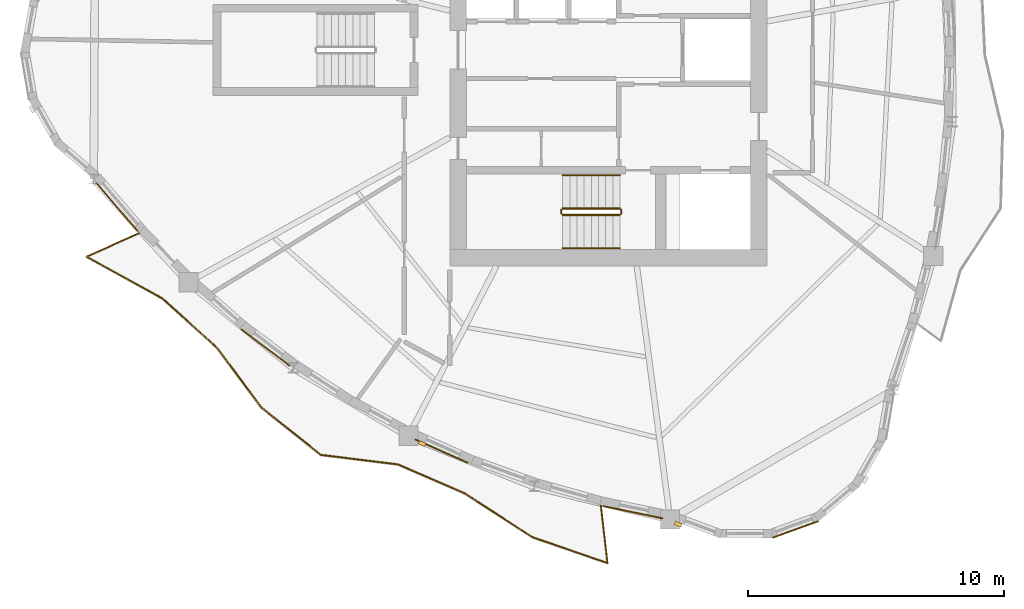
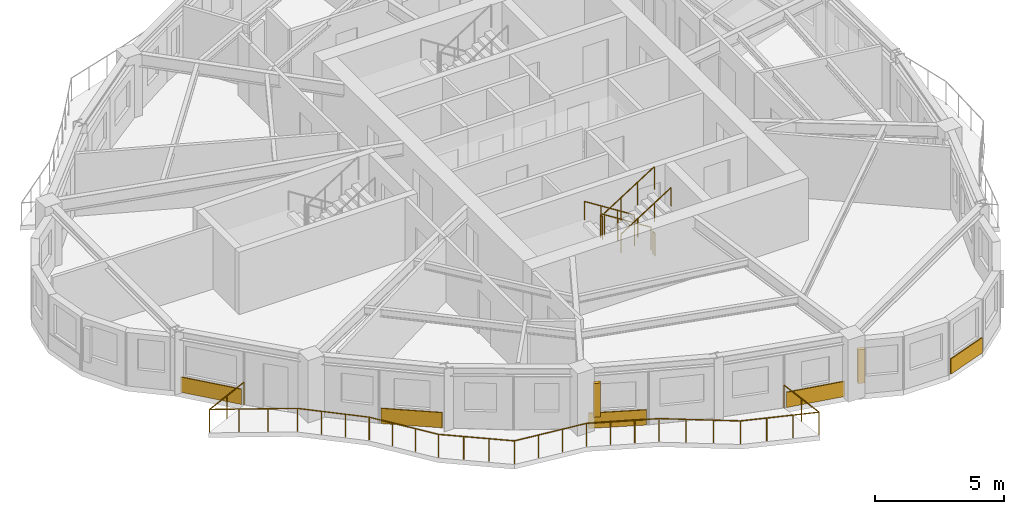
# One storey, part 9 of 12: 7 railings, 5 coverings, 2 shading devices.
"""IFC4 building model written with IfcOpenShell, lengths in metres."""

from ifc_helpers import new_model, si_unit, direction, frame, origin, origin_2d, place, context, subcontext, project, spatial, rectangle, circle, extrude, source, transform, mapped, material, layer, layer_set, type_object, element, save


model = new_model("IFC4")

# Units and contexts
model_context = context("Model", 3, precision=1e-05, world=origin(), true_north=direction((0.0, 1.0)))
body_context = subcontext(model_context, "Body", "Model", "MODEL_VIEW")
ifc_project = project(units=[si_unit("LENGTHUNIT", "METRE"), si_unit("AREAUNIT", "SQUARE_METRE"), si_unit("VOLUMEUNIT", "CUBIC_METRE"), si_unit("PLANEANGLEUNIT", "RADIAN"), si_unit("MASSUNIT", "GRAM", prefix="KILO")], contexts=[model_context])

# Site, building, storey
site_placement = place(None, origin())
site = spatial("IfcSite", under=ifc_project, at=site_placement, CompositionType="ELEMENT")
building_placement = place(site_placement, origin())
building = spatial("IfcBuilding", under=site, at=building_placement, Name="Qafzar Sky-Pleat Residences", CompositionType="ELEMENT")
storey_placement = place(building_placement, frame((0.0, 0.0, 174.60009765625)))
storey = spatial("IfcBuildingStorey", under=building, at=storey_placement, Name="L52", CompositionType="ELEMENT", Elevation=174.60009765625)

# Shading devices
ifc_material_1 = material(Name="Honed Riyadh limestone solar fin", Category="masonry")
ifc_layer_1 = layer(ifc_material_1, 0.139892578125)
ifc_layer_set_1 = layer_set([ifc_layer_1], Name="Honed Riyadh limestone solar fin")
shading_device_type = type_object("IfcShadingDeviceType", Name="SHD-FIN-STONE", PredefinedType="SHUTTER", material=ifc_layer_set_1)
shared_shape_1 = source(origin(), body_context, "Body", "SweptSolid", [
    extrude(rectangle(XDim=0.139892578125, YDim=0.280029296875, at=origin_2d()), origin(), (0.0, 0.0, 1.0), 1.60009765625),
])
for number, where, z_axis, x_axis, name in (
    (1, (23.06689453125, 10.6083984375, 0.599853515625), (0.0, 0.0, 1.0), (-0.407572231376, -0.913172971683, 0.0), "L52 Limestone Solar Fin 13"),
    (2, (33.074462890625, 7.46435546875, 0.599853515625), (0.0, 0.0, 1.0), (-0.349602764616, -0.936898023785, 0.0), "L52 Limestone Solar Fin 17"),
):
    element("IfcShadingDevice", number, at=place(storey_placement, frame(where, z_axis=z_axis, x_axis=x_axis)), inside=storey, type_object=shading_device_type, Name=name, PredefinedType="SHUTTER", context=body_context, shape_type="MappedRepresentation", body=[
        mapped(shared_shape_1, transform((0.0, 0.0, 0.0), x_axis=(1.0, 0.0, 0.0), y_axis=(0.0, 1.0, 0.0), z_axis=(0.0, 0.0, 1.0), scale=1.0)),
    ])

# Covering
ifc_material_2 = material(Name="Honed Riyadh Tuwaiq limestone cladding", Category="masonry")
ifc_layer_2 = layer(ifc_material_2, 0.044921875)
ifc_layer_set_2 = layer_set([ifc_layer_2], Name="Honed Riyadh Tuwaiq limestone cladding")
covering_type = type_object("IfcCoveringType", Name="COV-CLAD-STONE", PredefinedType="CLADDING", material=ifc_layer_set_2)
shared_shape_2 = source(origin(), body_context, "Body", "SweptSolid", [
    extrude(rectangle(XDim=1.89794921875, YDim=0.044921875, at=origin_2d()), origin(), (0.0, 0.0, 1.0), 0.719970703125),
])
covering_1_placement = place(storey_placement, frame((37.662353515625, 7.255126953125, 0.02001953125), z_axis=(0.0, 0.0, 1.0), x_axis=(0.940237058311, 0.340520592886, 0.0)))
element("IfcCovering", 3, at=covering_1_placement, inside=storey, type_object=covering_type, Name="L52 Riyadh Limestone Spandrel Cladding 19", PredefinedType="CLADDING", context=body_context, shape_type="MappedRepresentation", body=[
    mapped(shared_shape_2, transform((0.0, 0.0, 0.0), x_axis=(1.0, 0.0, 0.0), y_axis=(0.0, 1.0, 0.0), z_axis=(0.0, 0.0, 1.0), scale=1.0)),
])

# Railing
ifc_material_3 = material(Name="Laminated glass and bronze steel balustrade", Category="steel")
railing_type_1 = type_object("IfcRailingType", Name="RAIL-BAL-1100", PredefinedType="BALUSTRADE", material=ifc_material_3)
shared_shape_3 = source(origin(), body_context, "Body", "SweptSolid", [
    extrude(circle(Radius=0.02392578125, at=origin_2d()), frame((0.0, 0.0, 1.076171875), z_axis=(-0.912628302889, -0.408790387321, 0.0), x_axis=(0.408790387321, -0.912628302889, 0.0)), (0.0, 0.0, 1.0), 2.270751953125),
    extrude(circle(Radius=0.02392578125, at=origin_2d()), frame((-2.072265625, -0.92822265625, 1.076171875), z_axis=(0.876088688063, -0.482149987709, 0.0), x_axis=(0.482149987709, 0.876088688063, 0.0)), (0.0, 0.0, 1.0), 3.404296875),
    extrude(circle(Radius=0.02392578125, at=origin_2d()), frame((0.91015625, -2.569580078125, 1.076171875), z_axis=(0.742479428392, -0.669868866581, 0.0), x_axis=(0.669868866581, 0.742479428392, 0.0)), (0.0, 0.0, 1.0), 2.847900390625),
    extrude(circle(Radius=0.02392578125, at=origin_2d()), frame((3.024658203125, -4.477294921875, 1.076171875), z_axis=(0.596314764926, -0.802750709206, 0.0), x_axis=(0.802750709206, 0.596314764926, 0.0)), (0.0, 0.0, 1.0), 2.919921875),
    extrude(circle(Radius=0.02392578125, at=origin_2d()), frame((4.765869140625, -6.8212890625, 1.076171875), z_axis=(0.782537513301, -0.622603437411, 0.0), x_axis=(0.622603437411, 0.782537513301, 0.0)), (0.0, 0.0, 1.0), 2.978271484375),
    extrude(circle(Radius=0.02392578125, at=origin_2d()), frame((7.096435546875, -8.675537109375, 1.076171875), z_axis=(0.992462216808, -0.12255100248, 0.0), x_axis=(0.12255100248, 0.992462216808, 0.0)), (0.0, 0.0, 1.0), 3.0380859375),
    extrude(circle(Radius=0.02392578125, at=origin_2d()), frame((10.111572265625, -9.0478515625, 1.076171875), z_axis=(0.917327123061, -0.398134335742, 0.0), x_axis=(0.398134335742, 0.917327123061, 0.0)), (0.0, 0.0, 1.0), 2.8212890625),
    extrude(circle(Radius=0.02392578125, at=origin_2d()), frame((12.69970703125, -10.171142578125, 1.076171875), z_axis=(0.839716807714, -0.54302456928, 0.0), x_axis=(0.54302456928, 0.839716807714, 0.0)), (0.0, 0.0, 1.0), 3.170654296875),
    extrude(circle(Radius=0.02392578125, at=origin_2d()), frame((15.362060546875, -11.892822265625, 1.076171875), z_axis=(0.945528451343, -0.325539471802, 0.0), x_axis=(0.325539471802, 0.945528451343, 0.0)), (0.0, 0.0, 1.0), 3.101806640625),
    extrude(circle(Radius=0.02392578125, at=origin_2d()), frame((18.294921875, -12.902587890625, 1.076171875), z_axis=(-0.114701632597, 0.993399987658, 0.0), x_axis=(-0.993399987658, -0.114701632597, 0.0)), (0.0, 0.0, 1.0), 2.27099609375),
    extrude(circle(Radius=0.02099609375, at=origin_2d()), origin(), (0.0, 0.0, 1.0), 1.052001953125),
    extrude(circle(Radius=0.02099609375, at=origin_2d()), frame((-1.0361328125, -0.464111328125, 0.0)), (0.0, 0.0, 1.0), 1.052001953125),
    extrude(circle(Radius=0.02099609375, at=origin_2d()), frame((-2.072265625, -0.92822265625, 0.0)), (0.0, 0.0, 1.0), 1.052001953125),
    extrude(circle(Radius=0.02099609375, at=origin_2d()), frame((-1.078125, -1.475341796875, 0.0)), (0.0, 0.0, 1.0), 1.052001953125),
    extrude(circle(Radius=0.02099609375, at=origin_2d()), frame((-0.083984375, -2.0224609375, 0.0)), (0.0, 0.0, 1.0), 1.052001953125),
    extrude(circle(Radius=0.02099609375, at=origin_2d()), frame((0.91015625, -2.569580078125, 0.0)), (0.0, 0.0, 1.0), 1.052001953125),
    extrude(circle(Radius=0.02099609375, at=origin_2d()), frame((1.614990234375, -3.20556640625, 0.0)), (0.0, 0.0, 1.0), 1.052001953125),
    extrude(circle(Radius=0.02099609375, at=origin_2d()), frame((2.31982421875, -3.84130859375, 0.0)), (0.0, 0.0, 1.0), 1.052001953125),
    extrude(circle(Radius=0.02099609375, at=origin_2d()), frame((3.024658203125, -4.477294921875, 0.0)), (0.0, 0.0, 1.0), 1.052001953125),
    extrude(circle(Radius=0.02099609375, at=origin_2d()), frame((3.60498046875, -5.258544921875, 0.0)), (0.0, 0.0, 1.0), 1.052001953125),
    extrude(circle(Radius=0.02099609375, at=origin_2d()), frame((4.185546875, -6.0400390625, 0.0)), (0.0, 0.0, 1.0), 1.052001953125),
    extrude(circle(Radius=0.02099609375, at=origin_2d()), frame((4.765869140625, -6.8212890625, 0.0)), (0.0, 0.0, 1.0), 1.052001953125),
    extrude(circle(Radius=0.02099609375, at=origin_2d()), frame((5.542724609375, -7.439453125, 0.0)), (0.0, 0.0, 1.0), 1.052001953125),
    extrude(circle(Radius=0.02099609375, at=origin_2d()), frame((6.319580078125, -8.057373046875, 0.0)), (0.0, 0.0, 1.0), 1.052001953125),
    extrude(circle(Radius=0.02099609375, at=origin_2d()), frame((7.096435546875, -8.675537109375, 0.0)), (0.0, 0.0, 1.0), 1.052001953125),
    extrude(circle(Radius=0.02099609375, at=origin_2d()), frame((8.1015625, -8.799560546875, 0.0)), (0.0, 0.0, 1.0), 1.052001953125),
    extrude(circle(Radius=0.02099609375, at=origin_2d()), frame((9.1064453125, -8.923828125, 0.0)), (0.0, 0.0, 1.0), 1.052001953125),
    extrude(circle(Radius=0.02099609375, at=origin_2d()), frame((10.111572265625, -9.0478515625, 0.0)), (0.0, 0.0, 1.0), 1.052001953125),
    extrude(circle(Radius=0.02099609375, at=origin_2d()), frame((10.974365234375, -9.42236328125, 0.0)), (0.0, 0.0, 1.0), 1.052001953125),
    extrude(circle(Radius=0.02099609375, at=origin_2d()), frame((11.8369140625, -9.796630859375, 0.0)), (0.0, 0.0, 1.0), 1.052001953125),
    extrude(circle(Radius=0.02099609375, at=origin_2d()), frame((12.69970703125, -10.171142578125, 0.0)), (0.0, 0.0, 1.0), 1.052001953125),
    extrude(circle(Radius=0.02099609375, at=origin_2d()), frame((13.587158203125, -10.7451171875, 0.0)), (0.0, 0.0, 1.0), 1.052001953125),
    extrude(circle(Radius=0.02099609375, at=origin_2d()), frame((14.474609375, -11.31884765625, 0.0)), (0.0, 0.0, 1.0), 1.052001953125),
    extrude(circle(Radius=0.02099609375, at=origin_2d()), frame((15.362060546875, -11.892822265625, 0.0)), (0.0, 0.0, 1.0), 1.052001953125),
    extrude(circle(Radius=0.02099609375, at=origin_2d()), frame((16.339599609375, -12.2294921875, 0.0)), (0.0, 0.0, 1.0), 1.052001953125),
    extrude(circle(Radius=0.02099609375, at=origin_2d()), frame((17.3173828125, -12.56591796875, 0.0)), (0.0, 0.0, 1.0), 1.052001953125),
    extrude(circle(Radius=0.02099609375, at=origin_2d()), frame((18.294921875, -12.902587890625, 0.0)), (0.0, 0.0, 1.0), 1.052001953125),
    extrude(circle(Radius=0.02099609375, at=origin_2d()), frame((18.16455078125, -11.7744140625, 0.0)), (0.0, 0.0, 1.0), 1.052001953125),
    extrude(circle(Radius=0.02099609375, at=origin_2d()), frame((18.034423828125, -10.646484375, 0.0)), (0.0, 0.0, 1.0), 1.052001953125),
])
railing_1_placement = place(storey_placement, frame((12.021484375, 18.844482421875, 0.0)))
element("IfcRailing", 4, at=railing_1_placement, inside=storey, type_object=railing_type_1, Name="L52 Pleated Balcony 3 Balustrade", PredefinedType="BALUSTRADE", context=body_context, shape_type="MappedRepresentation", body=[
    mapped(shared_shape_3, transform((0.0, 0.0, 0.0), x_axis=(1.0, 0.0, 0.0), y_axis=(0.0, 1.0, 0.0), z_axis=(0.0, 0.0, 1.0), scale=1.0)),
])

# Coverings
shared_shape_4 = source(origin(), body_context, "Body", "SweptSolid", [
    extrude(rectangle(XDim=2.50439453125, YDim=0.044921875, at=origin_2d()), origin(), (0.0, 0.0, 1.0), 0.719970703125),
])
covering_2_placement = place(storey_placement, frame((11.1357421875, 19.863037109375, 0.02001953125), z_axis=(0.0, 0.0, 1.0), x_axis=(0.650294051701, -0.759682595774, 0.0)))
element("IfcCovering", 5, at=covering_2_placement, inside=storey, type_object=covering_type, Name="L52 Riyadh Limestone Spandrel Cladding 7", PredefinedType="CLADDING", context=body_context, shape_type="MappedRepresentation", body=[
    mapped(shared_shape_4, transform((0.0, 0.0, 0.0), x_axis=(1.0, 0.0, 0.0), y_axis=(0.0, 1.0, 0.0), z_axis=(0.0, 0.0, 1.0), scale=1.0)),
])
shared_shape_5 = source(origin(), body_context, "Body", "SweptSolid", [
    extrude(rectangle(XDim=2.385986328125, YDim=0.044921875, at=origin_2d()), origin(), (0.0, 0.0, 1.0), 0.719970703125),
])
covering_3_placement = place(storey_placement, frame((16.94580078125, 14.36865234375, 0.02001953125), z_axis=(0.0, 0.0, 1.0), x_axis=(0.797990277457, -0.602670322053, 0.0)))
element("IfcCovering", 6, at=covering_3_placement, inside=storey, type_object=covering_type, Name="L52 Riyadh Limestone Spandrel Cladding 10", PredefinedType="CLADDING", context=body_context, shape_type="MappedRepresentation", body=[
    mapped(shared_shape_5, transform((0.0, 0.0, 0.0), x_axis=(1.0, 0.0, 0.0), y_axis=(0.0, 1.0, 0.0), z_axis=(0.0, 0.0, 1.0), scale=1.0)),
])
shared_shape_6 = source(origin(), body_context, "Body", "SweptSolid", [
    extrude(rectangle(XDim=2.25537109375, YDim=0.044921875, at=origin_2d()), origin(), (0.0, 0.0, 1.0), 0.719970703125),
])
covering_4_placement = place(storey_placement, frame((23.82421875, 10.317626953125, 0.02001953125), z_axis=(0.0, 0.0, 1.0), x_axis=(0.913162019486, -0.407596769085, 0.0)))
element("IfcCovering", 7, at=covering_4_placement, inside=storey, type_object=covering_type, Name="L52 Riyadh Limestone Spandrel Cladding 13", PredefinedType="CLADDING", context=body_context, shape_type="MappedRepresentation", body=[
    mapped(shared_shape_6, transform((0.0, 0.0, 0.0), x_axis=(1.0, 0.0, 0.0), y_axis=(0.0, 1.0, 0.0), z_axis=(0.0, 0.0, 1.0), scale=1.0)),
])
shared_shape_7 = source(origin(), body_context, "Body", "SweptSolid", [
    extrude(rectangle(XDim=2.373779296875, YDim=0.044921875, at=origin_2d()), origin(), (0.0, 0.0, 1.0), 0.719970703125),
])
covering_5_placement = place(storey_placement, frame((31.30419921875, 7.92919921875, 0.02001953125), z_axis=(0.0, 0.0, 1.0), x_axis=(0.979315630611, -0.202338566865, 0.0)))
element("IfcCovering", 8, at=covering_5_placement, inside=storey, type_object=covering_type, Name="L52 Riyadh Limestone Spandrel Cladding 16", PredefinedType="CLADDING", context=body_context, shape_type="MappedRepresentation", body=[
    mapped(shared_shape_7, transform((0.0, 0.0, 0.0), x_axis=(1.0, 0.0, 0.0), y_axis=(0.0, 1.0, 0.0), z_axis=(0.0, 0.0, 1.0), scale=1.0)),
])

# Railings
ifc_material_4 = material(Name="Painted Steel S355 stair guardrail", Category="steel")
railing_type_2 = type_object("IfcRailingType", Name="RAIL-STAIR-GUARD", PredefinedType="GUARDRAIL", material=ifc_material_4)
shared_shape_8 = source(origin(), body_context, "Body", "SweptSolid", [
    extrude(circle(Radius=0.02392578125, at=origin_2d()), frame((0.0, 0.0, 1.076171875), z_axis=(0.0, -1.0, 0.0), x_axis=(1.0, 0.0, 0.0)), (0.0, 0.0, 1.0), 0.14990234375),
    extrude(circle(Radius=0.02099609375, at=origin_2d()), origin(), (0.0, 0.0, 1.0), 1.052001953125),
    extrude(circle(Radius=0.02099609375, at=origin_2d()), frame((0.0, -0.14990234375, 0.0)), (0.0, 0.0, 1.0), 1.052001953125),
])
for number, where, name in (
    (9, (28.510009765625, 19.75, 1.599853515625), "L52 ST1 stair guard 2"),
    (10, (30.85009765625, 19.75, 0.0), "L52 ST1 stair guard 4"),
):
    element("IfcRailing", number, at=place(storey_placement, frame(where)), inside=storey, type_object=railing_type_2, Name=name, PredefinedType="GUARDRAIL", context=body_context, shape_type="MappedRepresentation", body=[
        mapped(shared_shape_8, transform((0.0, 0.0, 0.0), x_axis=(1.0, 0.0, 0.0), y_axis=(0.0, 1.0, 0.0), z_axis=(0.0, 0.0, 1.0), scale=1.0)),
    ])
shared_shape_9 = source(origin(), body_context, "Body", "SweptSolid", [
    extrude(circle(Radius=0.02392578125, at=origin_2d()), frame((0.0, 0.0, 1.076171875), z_axis=(-0.8442293374, 0.0, 0.53598211339), x_axis=(0.0, -1.0, 0.0)), (0.0, 0.0, 1.0), 2.6533203125),
    extrude(circle(Radius=0.02099609375, at=origin_2d()), origin(), (0.0, 0.0, 1.0), 1.052001953125),
    extrude(circle(Radius=0.02099609375, at=origin_2d()), frame((-0.74658203125, 0.0, 0.47412109375)), (0.0, 0.0, 1.0), 1.052001953125),
    extrude(circle(Radius=0.02099609375, at=origin_2d()), frame((-1.493408203125, 0.0, 0.947998046875)), (0.0, 0.0, 1.0), 1.052001953125),
    extrude(circle(Radius=0.02099609375, at=origin_2d()), frame((-2.239990234375, 0.0, 1.422119140625)), (0.0, 0.0, 1.0), 1.052001953125),
])
railing_2_placement = place(storey_placement, frame((30.800048828125, 19.800048828125, 0.177734375)))
element("IfcRailing", 11, at=railing_2_placement, inside=storey, type_object=railing_type_2, Name="L52 ST1 stair guard 1", PredefinedType="GUARDRAIL", context=body_context, shape_type="MappedRepresentation", body=[
    mapped(shared_shape_9, transform((0.0, 0.0, 0.0), x_axis=(1.0, 0.0, 0.0), y_axis=(0.0, 1.0, 0.0), z_axis=(0.0, 0.0, 1.0), scale=1.0)),
])
ifc_material_5 = material(Name="Brushed stainless steel handrail", Category="steel")
railing_type_3 = type_object("IfcRailingType", Name="RAIL-STAIR-HAND", PredefinedType="HANDRAIL", material=ifc_material_5)
shared_shape_10 = source(origin(), body_context, "Body", "SweptSolid", [
    extrude(circle(Radius=0.02392578125, at=origin_2d()), frame((0.0, 0.0, 0.8759765625), z_axis=(-0.8442293374, 0.0, 0.53598211339), x_axis=(0.0, -1.0, 0.0)), (0.0, 0.0, 1.0), 2.6533203125),
    extrude(circle(Radius=0.02099609375, at=origin_2d()), origin(), (0.0, 0.0, 1.0), 0.851806640625),
    extrude(circle(Radius=0.02099609375, at=origin_2d()), frame((-0.74658203125, 0.0, 0.47412109375)), (0.0, 0.0, 1.0), 0.851806640625),
    extrude(circle(Radius=0.02099609375, at=origin_2d()), frame((-1.493408203125, 0.0, 0.947998046875)), (0.0, 0.0, 1.0), 0.851806640625),
    extrude(circle(Radius=0.02099609375, at=origin_2d()), frame((-2.239990234375, 0.0, 1.422119140625)), (0.0, 0.0, 1.0), 0.851806640625),
])
railing_3_placement = place(storey_placement, frame((30.800048828125, 21.10009765625, 0.177734375)))
element("IfcRailing", 12, at=railing_3_placement, inside=storey, type_object=railing_type_3, Name="L52 ST1 stair handrail 1", PredefinedType="HANDRAIL", context=body_context, shape_type="MappedRepresentation", body=[
    mapped(shared_shape_10, transform((0.0, 0.0, 0.0), x_axis=(1.0, 0.0, 0.0), y_axis=(0.0, 1.0, 0.0), z_axis=(0.0, 0.0, 1.0), scale=1.0)),
])
shared_shape_11 = source(origin(), body_context, "Body", "SweptSolid", [
    extrude(circle(Radius=0.02392578125, at=origin_2d()), frame((0.0, 0.0, 1.076171875), z_axis=(0.84418770128, 0.0, 0.536047689118), x_axis=(0.0, 1.0, 0.0)), (0.0, 0.0, 1.0), 2.6533203125),
    extrude(circle(Radius=0.02099609375, at=origin_2d()), origin(), (0.0, 0.0, 1.0), 1.052001953125),
    extrude(circle(Radius=0.02099609375, at=origin_2d()), frame((0.74658203125, 0.0, 0.47412109375)), (0.0, 0.0, 1.0), 1.052001953125),
    extrude(circle(Radius=0.02099609375, at=origin_2d()), frame((1.493408203125, 0.0, 0.9482421875)), (0.0, 0.0, 1.0), 1.052001953125),
    extrude(circle(Radius=0.02099609375, at=origin_2d()), frame((2.239990234375, 0.0, 1.42236328125)), (0.0, 0.0, 1.0), 1.052001953125),
])
railing_4_placement = place(storey_placement, frame((28.56005859375, 19.550048828125, 1.777587890625)))
element("IfcRailing", 13, at=railing_4_placement, inside=storey, type_object=railing_type_2, Name="L52 ST1 stair guard 3", PredefinedType="GUARDRAIL", context=body_context, shape_type="MappedRepresentation", body=[
    mapped(shared_shape_11, transform((0.0, 0.0, 0.0), x_axis=(1.0, 0.0, 0.0), y_axis=(0.0, 1.0, 0.0), z_axis=(0.0, 0.0, 1.0), scale=1.0)),
])
shared_shape_12 = source(origin(), body_context, "Body", "SweptSolid", [
    extrude(circle(Radius=0.02392578125, at=origin_2d()), frame((0.0, 0.0, 0.8759765625), z_axis=(0.84418770128, 0.0, 0.536047689118), x_axis=(0.0, 1.0, 0.0)), (0.0, 0.0, 1.0), 2.6533203125),
    extrude(circle(Radius=0.02099609375, at=origin_2d()), origin(), (0.0, 0.0, 1.0), 0.851806640625),
    extrude(circle(Radius=0.02099609375, at=origin_2d()), frame((0.74658203125, 0.0, 0.47412109375)), (0.0, 0.0, 1.0), 0.851806640625),
    extrude(circle(Radius=0.02099609375, at=origin_2d()), frame((1.493408203125, 0.0, 0.9482421875)), (0.0, 0.0, 1.0), 0.851806640625),
    extrude(circle(Radius=0.02099609375, at=origin_2d()), frame((2.239990234375, 0.0, 1.42236328125)), (0.0, 0.0, 1.0), 0.851806640625),
])
railing_5_placement = place(storey_placement, frame((28.56005859375, 18.25, 1.777587890625)))
element("IfcRailing", 14, at=railing_5_placement, inside=storey, type_object=railing_type_3, Name="L52 ST1 stair handrail 2", PredefinedType="HANDRAIL", context=body_context, shape_type="MappedRepresentation", body=[
    mapped(shared_shape_12, transform((0.0, 0.0, 0.0), x_axis=(1.0, 0.0, 0.0), y_axis=(0.0, 1.0, 0.0), z_axis=(0.0, 0.0, 1.0), scale=1.0)),
])

save(model, "model.ifc")
